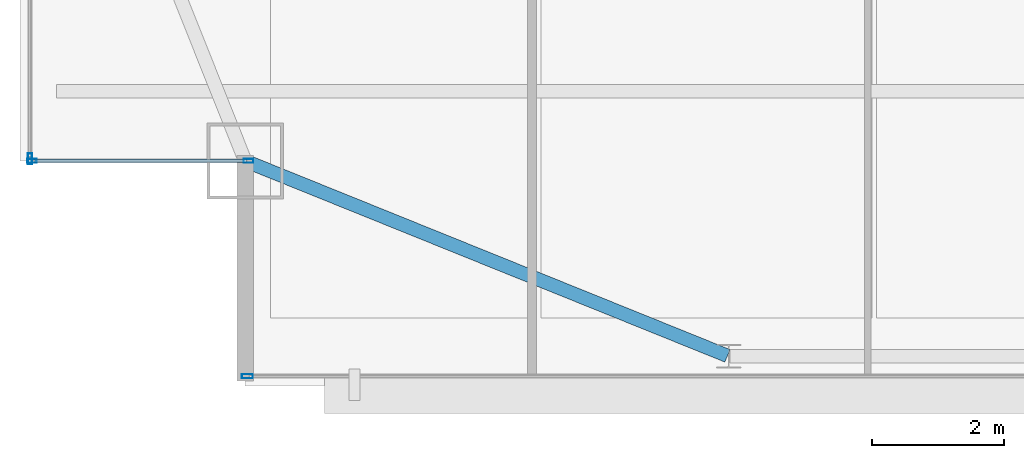
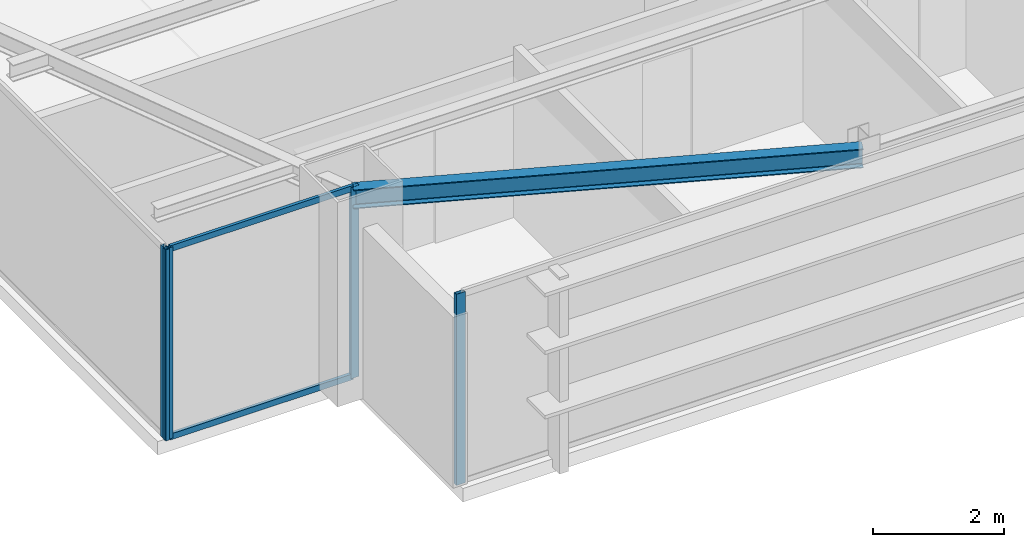
# One storey, part 4 of 25: 6 members, 1 beam, 3 elements without a shape of their own.
"""IFC4 building model written with IfcOpenShell, lengths in metres."""

import ifcopenshell
import ifcopenshell.guid

model = None  # the IFC model being written
_history = None  # IfcOwnerHistory: only IFC2X3 demands one
_inside = {}  # id of a spatial element -> (the spatial element, [elements in it])
_under = {}  # id of a project, library or spatial element -> (it, [spatial elements below it])
_declared = {}  # id of a project -> (the project, [libraries it declares])
_typed = {}  # id of a type object -> (the type object, [elements of that type])
_made_of = {}  # id of a material, layer set ... -> (it, [elements and type objects made of it])


def new_model(schema):
    """Start an empty IFC model of exactly this schema.

    Asked for "IFC4X3", IfcOpenShell would pick the latest addendum, in which some entities
    have other attributes; the version numbers below select the first issue.
    IFC2X3 requires an IfcOwnerHistory on every rooted entity: one is made here for all.
    """
    global model, _history
    if schema == "IFC4X3":
        model = ifcopenshell.file(schema_version=(4, 3, 0, 0))
    else:
        model = ifcopenshell.file(schema=schema)
    _inside.clear()
    _under.clear()
    _declared.clear()
    _typed.clear()
    _made_of.clear()
    _history = None
    if model.schema == "IFC2X3":
        org = make("IfcOrganization", Name="unknown")
        user = make(
            "IfcPersonAndOrganization",
            ThePerson=make("IfcPerson", FamilyName="unknown"),
            TheOrganization=org,
        )
        app = make(
            "IfcApplication",
            ApplicationDeveloper=org,
            Version="unknown",
            ApplicationFullName="unknown",
            ApplicationIdentifier="unknown",
        )
        _history = make(
            "IfcOwnerHistory",
            OwningUser=user,
            OwningApplication=app,
            ChangeAction="ADDED",
            CreationDate=0,
        )
    return model


def make(cls, **values):
    """One entity of the class cls with the attributes given. An attribute that is None is left unset."""
    return model.create_entity(
        cls, **{name: value for name, value in values.items() if value is not None}
    )


def rooted(cls, **values):
    """An entity with a GlobalId (a new one), such as an element, a storey or a relation."""
    return make(cls, GlobalId=ifcopenshell.guid.new(), OwnerHistory=_history, **values)


def si_unit(unit_type, name, prefix=None):
    """IfcSIUnit, for example si_unit("LENGTHUNIT", "METRE", prefix="MILLI")."""
    return make("IfcSIUnit", UnitType=unit_type, Prefix=prefix, Name=name)


def assignment(units):
    """IfcUnitAssignment: the units of a project."""
    return None if units is None else make("IfcUnitAssignment", Units=units)


def point(xyz):
    """IfcCartesianPoint."""
    return None if xyz is None else make("IfcCartesianPoint", Coordinates=xyz)


def direction(xyz):
    """IfcDirection."""
    return None if xyz is None else make("IfcDirection", DirectionRatios=xyz)


def frame(location, z_axis=None, x_axis=None):
    """IfcAxis2Placement3D, a coordinate frame: its origin and axes. An axis left out is left unset."""
    return make(
        "IfcAxis2Placement3D",
        Location=point(location),
        Axis=direction(z_axis),
        RefDirection=direction(x_axis),
    )


def frame_2d(location, x_axis=None):
    """IfcAxis2Placement2D, a coordinate frame in the plane: its origin and x axis."""
    return make(
        "IfcAxis2Placement2D", Location=point(location), RefDirection=direction(x_axis)
    )


def origin():
    """The frame at (0, 0, 0) with its axes left unset."""
    return frame((0.0, 0.0, 0.0))


def origin_2d():
    """The frame at (0, 0) in the plane with its x axis left unset."""
    return frame_2d((0.0, 0.0))


def place(relative_to, where):
    """IfcLocalPlacement: puts the frame where relative to a parent placement (None: the world)."""
    return make(
        "IfcLocalPlacement", PlacementRelTo=relative_to, RelativePlacement=where
    )


def context(
    kind, dimensions, precision=None, world=None, true_north=None, identifier=None
):
    """IfcGeometricRepresentationContext, for example the 3D "Model" context."""
    return make(
        "IfcGeometricRepresentationContext",
        ContextIdentifier=identifier,
        ContextType=kind,
        CoordinateSpaceDimension=dimensions,
        Precision=precision,
        WorldCoordinateSystem=world,
        TrueNorth=true_north,
    )


def subcontext(parent, identifier, kind, view, scale=None):
    """IfcGeometricRepresentationSubContext, for example "Body" below "Model"."""
    return make(
        "IfcGeometricRepresentationSubContext",
        ContextIdentifier=identifier,
        ContextType=kind,
        ParentContext=parent,
        TargetScale=scale,
        TargetView=view,
    )


def project(units=None, contexts=None):
    """IfcProject with its units and contexts."""
    return rooted(
        "IfcProject",
        Name="project",
        RepresentationContexts=contexts,
        UnitsInContext=assignment(units),
    )


def spatial(cls, under=None, at=None, **own):
    """A site, building, storey or space (cls), placed at a placement, below another one or the project."""
    s = rooted(cls, ObjectPlacement=at, **own)
    if under is not None:
        _under.setdefault(under.id(), (under, []))[1].append(s)
    return s


def profile(cls, at=None, kind="AREA", **sizes):
    """A parametric profile (cls). Its sizes go by their IFC names, for example OverallWidth=200.0."""
    return make(cls, ProfileType=kind, Position=at, **sizes)


def hollow_rectangle(**sizes):
    """IfcRectangleHollowProfileDef."""
    return profile("IfcRectangleHollowProfileDef", **sizes)


def i_section(**sizes):
    """IfcIShapeProfileDef."""
    return profile("IfcIShapeProfileDef", **sizes)


def extrude(swept, where, along, depth):
    """IfcExtrudedAreaSolid: the profile swept, set in the frame where, extruded along a direction by depth."""
    return make(
        "IfcExtrudedAreaSolid",
        SweptArea=swept,
        Position=where,
        ExtrudedDirection=direction(along),
        Depth=depth,
    )


def shape(context_of_items, identifier, shape_type, items):
    """IfcShapeRepresentation: the items that make up one representation, for example the "Body"."""
    return make(
        "IfcShapeRepresentation",
        ContextOfItems=context_of_items,
        RepresentationIdentifier=identifier,
        RepresentationType=shape_type,
        Items=items,
    )


def source(mapping_origin, context_of_items, identifier, shape_type, items):
    """IfcRepresentationMap: a shape defined once, which mapped items show again and again."""
    return make(
        "IfcRepresentationMap",
        MappingOrigin=mapping_origin,
        MappedRepresentation=shape(context_of_items, identifier, shape_type, items),
    )


def transform(
    local_origin,
    x_axis=None,
    y_axis=None,
    z_axis=None,
    scale=None,
    scale2=None,
    scale3=None,
    uniform=True,
):
    """IfcCartesianTransformationOperator3D, or its non-uniform kind. x_axis, y_axis, z_axis: its Axis1, 2, 3."""
    if uniform:
        return make(
            "IfcCartesianTransformationOperator3D",
            Axis1=direction(x_axis),
            Axis2=direction(y_axis),
            LocalOrigin=point(local_origin),
            Scale=scale,
            Axis3=direction(z_axis),
        )
    return make(
        "IfcCartesianTransformationOperator3DnonUniform",
        Axis1=direction(x_axis),
        Axis2=direction(y_axis),
        LocalOrigin=point(local_origin),
        Scale=scale,
        Axis3=direction(z_axis),
        Scale2=scale2,
        Scale3=scale3,
    )


def mapped(mapping_source, mapping_target):
    """IfcMappedItem: shows the shape of a source again, moved by a transform."""
    return make(
        "IfcMappedItem", MappingSource=mapping_source, MappingTarget=mapping_target
    )


def material(Name=None, Category=None):
    """IfcMaterial."""
    return make("IfcMaterial", Name=Name, Category=Category)


def layer(
    of_material, thickness, ventilated=None, Name=None, Category=None, Priority=None
):
    """IfcMaterialLayer: one layer of a wall or slab, of a material (None: an air gap)."""
    return make(
        "IfcMaterialLayer",
        Material=of_material,
        LayerThickness=thickness,
        IsVentilated=ventilated,
        Name=Name,
        Category=Category,
        Priority=Priority,
    )


def layer_set(layers, Name=None):
    """IfcMaterialLayerSet."""
    return make("IfcMaterialLayerSet", MaterialLayers=layers, LayerSetName=Name)


def material_profile(
    of_material, cross_section, Name=None, Category=None, Priority=None
):
    """IfcMaterialProfile: a cross section and its material."""
    return make(
        "IfcMaterialProfile",
        Name=Name,
        Material=of_material,
        Profile=cross_section,
        Priority=Priority,
        Category=Category,
    )


def profile_set(profiles, Name=None, composite=None):
    """IfcMaterialProfileSet."""
    return make(
        "IfcMaterialProfileSet",
        Name=Name,
        MaterialProfiles=profiles,
        CompositeProfile=composite,
    )


def made_of(thing, what):
    """Note that an element or type object is made of a material, layer set ...; save() writes the relation."""
    if what is not None:
        _made_of.setdefault(what.id(), (what, []))[1].append(thing)
    return thing


def type_object(cls, material=None, **own):
    """A type object (cls), such as IfcWallType, which elements share."""
    return made_of(rooted(cls, **own), material)


def type_shapes(of_type, sources):
    """Give a type object the sources (RepresentationMaps) that its elements show as mapped items."""
    of_type.RepresentationMaps = sources


def element(
    cls,
    number,
    at=None,
    inside=None,
    cuts=None,
    type_object=None,
    material=None,
    context=None,
    identifier="Body",
    shape_type=None,
    held_by="IfcProductDefinitionShape",
    body=None,
    shapes=None,
    **own,
):
    """One element of the class cls, such as IfcWall. Its Tag is "e" and its number.

    at: its placement. inside: the storey or other place that contains it. cuts: it is an
    opening in that element (IfcRelVoidsElement). A single representation is given by context,
    identifier, shape_type and body (its items); several are given by shapes. held_by: the class
    of the entity that holds the representations. save() writes the other relations.
    """
    e = rooted(cls, Tag="e%d" % number, ObjectPlacement=at, **own)
    if body is not None:
        shapes = [shape(context, identifier, shape_type, body)]
    if shapes is not None:
        e.Representation = make(held_by, Representations=shapes)
    if inside is not None:
        _inside.setdefault(inside.id(), (inside, []))[1].append(e)
    if cuts is not None:
        rooted(
            "IfcRelVoidsElement", RelatingBuildingElement=cuts, RelatedOpeningElement=e
        )
    if type_object is not None:
        _typed.setdefault(type_object.id(), (type_object, []))[1].append(e)
    return made_of(e, material)


def aggregate(whole, parts):
    """IfcRelAggregates: a whole, such as a stair, and the parts it consists of."""
    return rooted("IfcRelAggregates", RelatingObject=whole, RelatedObjects=parts)


def save(model, path):
    """Write the relations noted so far, then the file.

    IfcRelAggregates (storeys below a building ...), IfcRelContainedInSpatialStructure (elements
    in a storey), IfcRelDefinesByType, IfcRelAssociatesMaterial and IfcRelDeclares: one each for
    every whole, place, type object, material and project.
    """
    for whole, parts in _under.values():
        aggregate(whole, parts)
    for where, things in _inside.values():
        rooted(
            "IfcRelContainedInSpatialStructure",
            RelatedElements=things,
            RelatingStructure=where,
        )
    for kind, things in _typed.values():
        rooted("IfcRelDefinesByType", RelatedObjects=things, RelatingType=kind)
    for what, things in _made_of.values():
        rooted("IfcRelAssociatesMaterial", RelatedObjects=things, RelatingMaterial=what)
    for by, libraries in _declared.values():
        rooted("IfcRelDeclares", RelatingContext=by, RelatedDefinitions=libraries)
    model.write(path)


model = new_model("IFC4")

# Units and contexts
model_context = context("Model", 3, precision=1e-05, world=origin(), true_north=direction((0.0, 1.0)))
body_context = subcontext(model_context, "Body", "Model", "MODEL_VIEW")
ifc_project = project(units=[si_unit("LENGTHUNIT", "METRE"), si_unit("AREAUNIT", "SQUARE_METRE"), si_unit("VOLUMEUNIT", "CUBIC_METRE"), si_unit("PLANEANGLEUNIT", "RADIAN"), si_unit("MASSUNIT", "GRAM", prefix="KILO")], contexts=[model_context])

# Site, building, storey
site_placement = place(None, origin())
site = spatial("IfcSite", under=ifc_project, at=site_placement, CompositionType="ELEMENT")
building_placement = place(site_placement, origin())
building = spatial("IfcBuilding", under=site, at=building_placement, Name="Varnel Quay Broadcast Tower", CompositionType="ELEMENT")
storey_placement = place(building_placement, frame((0.0, 0.0, 250.800048828125)))
storey = spatial("IfcBuildingStorey", under=building, at=storey_placement, Name="L62", CompositionType="ELEMENT", Elevation=250.800048828125)

# Beam
ifc_material_1 = material(Name="Structural Steel CSA G40.21 350W", Category="steel")
ifc_material_profile_1 = material_profile(ifc_material_1, i_section(OverallWidth=0.205078125, OverallDepth=0.35400390625, WebThickness=0.009521484375, FlangeThickness=0.016845703125, FilletRadius=0.012939453125, at=origin_2d()), Name="W360X79")
ifc_profile_set_1 = profile_set([ifc_material_profile_1], Name="Structural Steel CSA G40.21 350W")
beam_type = type_object("IfcBeamType", Name="Beam_W360X79", PredefinedType="SPANDREL", material=ifc_profile_set_1)
shared_shape_1 = source(origin(), body_context, "Body", "SweptSolid", [
    extrude(i_section(OverallWidth=0.205078125, OverallDepth=0.35400390625, WebThickness=0.009521484375, FlangeThickness=0.016845703125, FilletRadius=0.012939453125, at=origin_2d()), origin(), (0.0, 0.0, 1.0), 7.83349609375),
])
type_shapes(beam_type, [shared_shape_1])
beam_placement = place(storey_placement, frame((12.91845703125, 13.592529296875, 3.373046875), z_axis=(0.927155449606, -0.374676890489, 0.0), x_axis=(0.374676890489, 0.927155449606, 0.0)))
element("IfcBeam", 1, at=beam_placement, inside=storey, type_object=beam_type, Name="L62 South Spandrel MC-SW-TC-S1", PredefinedType="SPANDREL", context=body_context, shape_type="MappedRepresentation", body=[
    mapped(shared_shape_1, transform((0.0, 0.0, 0.0), x_axis=(1.0, 0.0, 0.0), y_axis=(0.0, 1.0, 0.0), z_axis=(0.0, 0.0, 1.0), scale=1.0)),
])

# Curtain wall, members
ifc_material_2 = material(Name="Anodised Bronze Aluminium 6063-T6", Category="aluminium")
ifc_layer_1 = layer(ifc_material_2, 0.18994140625, Name="Anodised Bronze Aluminium 6063-T6")
ifc_layer_set_1 = layer_set([ifc_layer_1], Name="Anodised Bronze Aluminium 6063-T6")
curtain_wall_type_1 = type_object("IfcCurtainWallType", Name="CW_NotchCorner", PredefinedType="NOTDEFINED", material=ifc_layer_set_1)
curtain_wall_1_placement = place(storey_placement, origin())
curtain_wall_1 = element("IfcCurtainWall", 2, at=curtain_wall_1_placement, inside=storey, type_object=curtain_wall_type_1, Name="L62 SW Notch Curtain Wall", PredefinedType="NOTDEFINED")
ifc_material_profile_2 = material_profile(ifc_material_2, hollow_rectangle(XDim=0.06005859375, YDim=0.14501953125, WallThickness=0.00341796875, at=origin_2d()), Name="ALU60X145X3.5")
ifc_profile_set_2 = profile_set([ifc_material_profile_2], Name="Anodised Bronze Aluminium 6063-T6")
member_type_1 = type_object("IfcMemberType", Name="Mull_CWS-04", PredefinedType="MULLION", material=ifc_profile_set_2)
shared_shape_2 = source(origin(), body_context, "Body", "SweptSolid", [
    extrude(hollow_rectangle(XDim=0.06005859375, YDim=0.14501953125, WallThickness=0.00341796875, at=origin_2d()), origin(), (0.0, 0.0, 1.0), 3.550048828125),
])
type_shapes(member_type_1, [shared_shape_2])
member_1_placement = place(storey_placement, frame((9.679931640625, 13.60009765625, 0.0), z_axis=(0.0, 0.0, 1.0), x_axis=(0.0, 1.0, 0.0)))
member_1 = element("IfcMember", 3, at=member_1_placement, type_object=member_type_1, Name="CWS-04 mullion 1", PredefinedType="MULLION", context=body_context, shape_type="MappedRepresentation", body=[
    mapped(shared_shape_2, transform((0.0, 0.0, 0.0), x_axis=(1.0, 0.0, 0.0), y_axis=(0.0, 1.0, 0.0), z_axis=(0.0, 0.0, 1.0), scale=1.0)),
])
member_2_placement = place(storey_placement, frame((12.949951171875, 13.60009765625, 0.0), z_axis=(0.0, 0.0, 1.0), x_axis=(0.0, 1.0, 0.0)))
member_2 = element("IfcMember", 4, at=member_2_placement, type_object=member_type_1, Name="CWS-04 mullion 2", PredefinedType="MULLION", context=body_context, shape_type="MappedRepresentation", body=[
    mapped(shared_shape_2, transform((0.0, 0.0, 0.0), x_axis=(1.0, 0.0, 0.0), y_axis=(0.0, 1.0, 0.0), z_axis=(0.0, 0.0, 1.0), scale=1.0)),
])

# Curtain wall, member
ifc_layer_2 = layer(ifc_material_2, 0.18994140625, Name="Anodised Bronze Aluminium 6063-T6")
ifc_layer_set_2 = layer_set([ifc_layer_2], Name="Anodised Bronze Aluminium 6063-T6")
curtain_wall_type_2 = type_object("IfcCurtainWallType", Name="CW_UpperTower", PredefinedType="NOTDEFINED", material=ifc_layer_set_2)
curtain_wall_2_placement = place(storey_placement, origin())
curtain_wall_2 = element("IfcCurtainWall", 5, at=curtain_wall_2_placement, inside=storey, type_object=curtain_wall_type_2, Name="L62 South Unitised Curtain Wall 1", PredefinedType="NOTDEFINED")
ifc_material_profile_3 = material_profile(ifc_material_2, hollow_rectangle(XDim=0.06494140625, YDim=0.1650390625, WallThickness=0.00341796875, at=origin_2d()), Name="ALU65X165X3.5")
ifc_profile_set_3 = profile_set([ifc_material_profile_3], Name="Anodised Bronze Aluminium 6063-T6")
member_type_2 = type_object("IfcMemberType", Name="Mull_CWS-03", PredefinedType="MULLION", material=ifc_profile_set_3)
shared_shape_3 = source(origin(), body_context, "Body", "SweptSolid", [
    extrude(hollow_rectangle(XDim=0.06494140625, YDim=0.1650390625, WallThickness=0.00341796875, at=origin_2d()), origin(), (0.0, 0.0, 1.0), 3.550048828125),
])
type_shapes(member_type_2, [shared_shape_3])
member_3_placement = place(storey_placement, frame((12.9326171875, 10.35009765625, 0.0), z_axis=(0.0, 0.0, 1.0), x_axis=(0.0, 1.0, 0.0)))
member_3 = element("IfcMember", 6, at=member_3_placement, type_object=member_type_2, Name="CWS-03 mullion 1", PredefinedType="MULLION", context=body_context, shape_type="MappedRepresentation", body=[
    mapped(shared_shape_3, transform((0.0, 0.0, 0.0), x_axis=(1.0, 0.0, 0.0), y_axis=(0.0, 1.0, 0.0), z_axis=(0.0, 0.0, 1.0), scale=1.0)),
])
aggregate(curtain_wall_2, [member_3])

curtain_wall_3_placement = place(storey_placement, origin())
curtain_wall_3 = element("IfcCurtainWall", 7, at=curtain_wall_3_placement, inside=storey, type_object=curtain_wall_type_2, Name="L62 West Unitised Curtain Wall", PredefinedType="NOTDEFINED")
member_4_placement = place(storey_placement, frame((9.64990234375, 13.632568359375, 0.0), z_axis=(0.0, 0.0, 1.0), x_axis=(-1.0, 0.0, 0.0)))
member_4 = element("IfcMember", 8, at=member_4_placement, type_object=member_type_2, Name="CWS-03 mullion 1", PredefinedType="MULLION", context=body_context, shape_type="MappedRepresentation", body=[
    mapped(shared_shape_3, transform((0.0, 0.0, 0.0), x_axis=(1.0, 0.0, 0.0), y_axis=(0.0, 1.0, 0.0), z_axis=(0.0, 0.0, 1.0), scale=1.0)),
])
aggregate(curtain_wall_3, [member_4])

# Member
ifc_material_profile_4 = material_profile(ifc_material_2, hollow_rectangle(XDim=0.054931640625, YDim=0.110107421875, WallThickness=0.0029296875, at=origin_2d()), Name="ALU55X110X3")
ifc_profile_set_4 = profile_set([ifc_material_profile_4], Name="Anodised Bronze Aluminium 6063-T6")
member_type_3 = type_object("IfcMemberType", Name="Tran_CWS-04", PredefinedType="USERDEFINED", material=ifc_profile_set_4)
shared_shape_4 = source(origin(), body_context, "Body", "SweptSolid", [
    extrude(hollow_rectangle(XDim=0.054931640625, YDim=0.110107421875, WallThickness=0.0029296875, at=origin_2d()), origin(), (0.0, 0.0, 1.0), 3.2099609375),
])
type_shapes(member_type_3, [shared_shape_4])
member_5_placement = place(storey_placement, frame((9.7099609375, 13.60009765625, 0.02734375), z_axis=(1.0, 0.0, 0.0), x_axis=(0.0, 1.0, 0.0)))
member_5 = element("IfcMember", 9, at=member_5_placement, type_object=member_type_3, Name="CWS-04 transom 1.1", ObjectType="TRANSOM", PredefinedType="USERDEFINED", context=body_context, shape_type="MappedRepresentation", body=[
    mapped(shared_shape_4, transform((0.0, 0.0, 0.0), x_axis=(1.0, 0.0, 0.0), y_axis=(0.0, 1.0, 0.0), z_axis=(0.0, 0.0, 1.0), scale=1.0)),
])

member_6_placement = place(storey_placement, frame((9.7099609375, 13.60009765625, 3.5224609375), z_axis=(1.0, 0.0, 0.0), x_axis=(0.0, 1.0, 0.0)))
member_6 = element("IfcMember", 10, at=member_6_placement, type_object=member_type_3, Name="CWS-04 transom 1.2", ObjectType="TRANSOM", PredefinedType="USERDEFINED", context=body_context, shape_type="MappedRepresentation", body=[
    mapped(shared_shape_4, transform((0.0, 0.0, 0.0), x_axis=(1.0, 0.0, 0.0), y_axis=(0.0, 1.0, 0.0), z_axis=(0.0, 0.0, 1.0), scale=1.0)),
])

aggregate(curtain_wall_1, [member_1, member_2, member_5, member_6])

save(model, "model.ifc")
